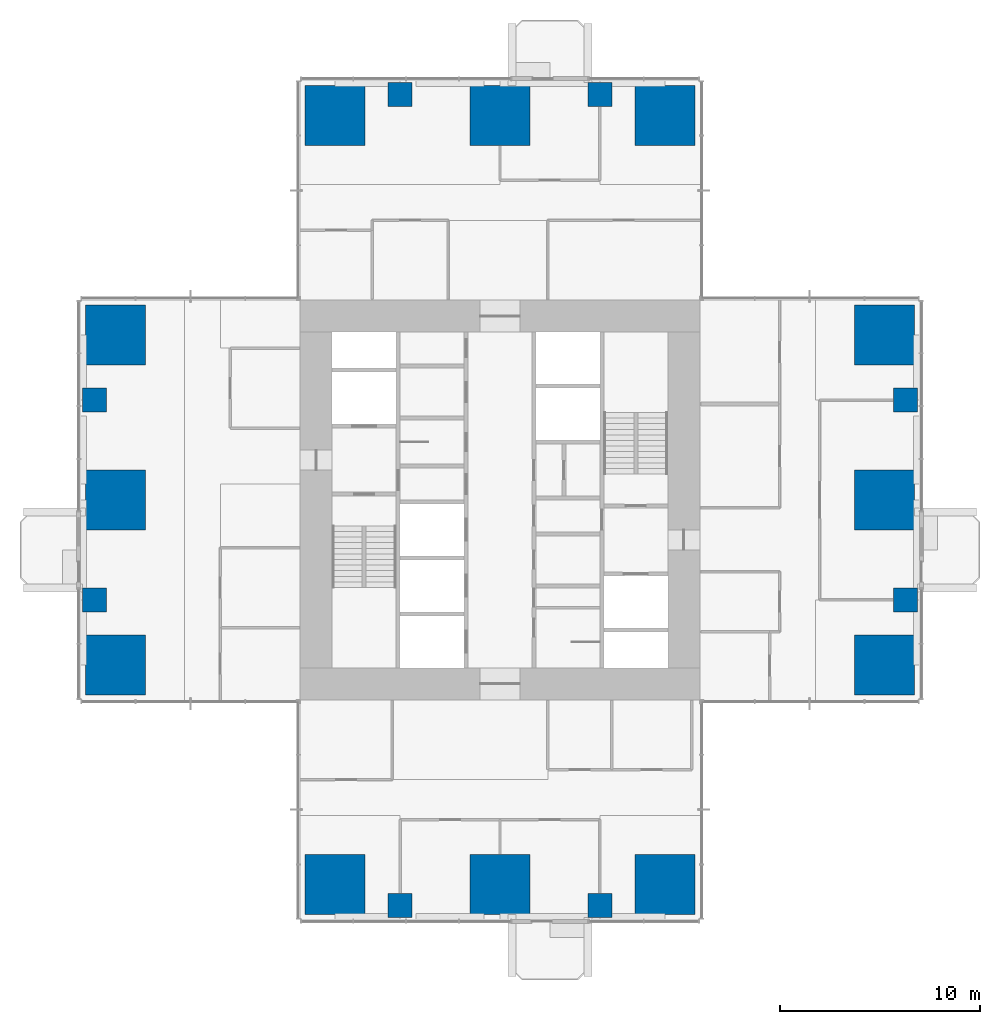
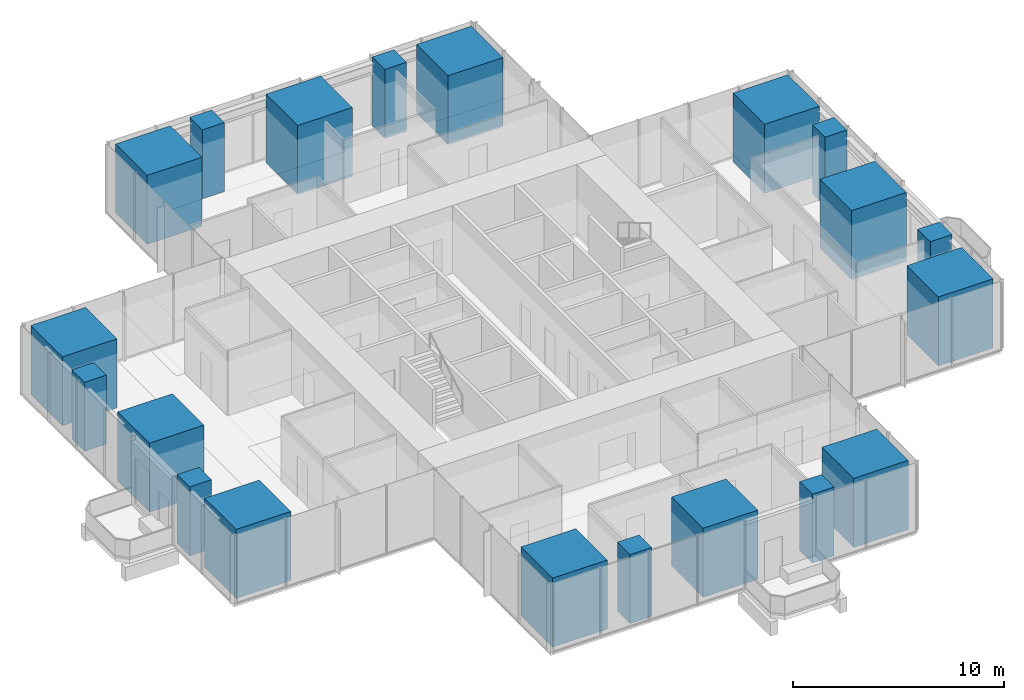
# One storey, part 1 of 13: 20 columns.
"""IFC4 building model written with IfcOpenShell, lengths in metres."""

from ifc_helpers import new_model, si_unit, direction, frame, origin, origin_2d, place, context, subcontext, project, spatial, rectangle, extrude, material, material_profile, profile_set, type_object, element, save


model = new_model("IFC4")

# Units and contexts
model_context = context("Model", 3, precision=1e-05, world=origin(), true_north=direction((0.0, 1.0)))
body_context = subcontext(model_context, "Body", "Model", "MODEL_VIEW")
ifc_project = project(units=[si_unit("LENGTHUNIT", "METRE"), si_unit("AREAUNIT", "SQUARE_METRE"), si_unit("VOLUMEUNIT", "CUBIC_METRE"), si_unit("PLANEANGLEUNIT", "RADIAN"), si_unit("MASSUNIT", "GRAM", prefix="KILO")], contexts=[model_context])

# Site, building, storey
site_placement = place(None, origin())
site = spatial("IfcSite", under=ifc_project, at=site_placement, CompositionType="ELEMENT")
building_placement = place(site_placement, origin())
building = spatial("IfcBuilding", under=site, at=building_placement, Name="Svetlomir Tower", CompositionType="ELEMENT")
storey_placement = place(building_placement, frame((0.0, 0.0, 120.5)))
storey = spatial("IfcBuildingStorey", under=building, at=storey_placement, Name="L28", CompositionType="ELEMENT", Elevation=120.5)

# Columns
ifc_material_1 = material(Name="Concrete C60/75", Category="concrete")
ifc_material_profile_1 = material_profile(ifc_material_1, rectangle(XDim=1.199951171875, YDim=1.199951171875, at=origin_2d()), Name="RC 1200x1200")
ifc_profile_set_1 = profile_set([ifc_material_profile_1], Name="Concrete C60/75")
column_type_1 = type_object("IfcColumnType", Name="COLUMN RC 1200x1200", PredefinedType="COLUMN", material=ifc_profile_set_1)
for number, where, z_axis, x_axis, name in (
    (1, (16.0, 0.699951171875, 0.0), (0.0, 0.0, 1.0), (1.0, 0.0, 0.0), "Column 16/0 L28"),
    (2, (26.0, 0.699951171875, 0.0), (0.0, 0.0, 1.0), (1.0, 0.0, 0.0), "Column 26/0 L28"),
    (3, (0.699951171875, 16.0, 0.0), (0.0, 0.0, 1.0), (1.0, 0.0, 0.0), "Column 0/16 L28"),
    (4, (41.300048828125, 16.0, 0.0), (0.0, 0.0, 1.0), (1.0, 0.0, 0.0), "Column 42/16 L28"),
    (5, (0.699951171875, 26.0, 0.0), (0.0, 0.0, 1.0), (1.0, 0.0, 0.0), "Column 0/26 L28"),
    (6, (41.300048828125, 26.0, 0.0), (0.0, 0.0, 1.0), (1.0, 0.0, 0.0), "Column 42/26 L28"),
    (7, (16.0, 41.300048828125, 0.0), (0.0, 0.0, 1.0), (1.0, 0.0, 0.0), "Column 16/42 L28"),
    (8, (26.0, 41.300048828125, 0.0), (0.0, 0.0, 1.0), (1.0, 0.0, 0.0), "Column 26/42 L28"),
):
    element("IfcColumn", number, at=place(storey_placement, frame(where, z_axis=z_axis, x_axis=x_axis)), inside=storey, type_object=column_type_1, Name=name, PredefinedType="COLUMN", context=body_context, shape_type="SweptSolid", body=[
        extrude(rectangle(XDim=1.199951171875, YDim=1.199951171875, at=origin_2d()), origin(), (0.0, 0.0, 1.0), 4.0),
    ])
ifc_material_2 = material(Name="Concrete C60/75", Category="concrete")
ifc_material_profile_2 = material_profile(ifc_material_2, rectangle(XDim=3.0, YDim=3.0, at=origin_2d()), Name="RC 3000x3000")
ifc_profile_set_2 = profile_set([ifc_material_profile_2], Name="Concrete C60/75")
column_type_2 = type_object("IfcColumnType", Name="COLUMN RC 3000x3000", PredefinedType="COLUMN", material=ifc_profile_set_2)
for number, where, z_axis, x_axis, name in (
    (9, (12.75, 1.75, 0.0), (0.0, 0.0, 1.0), (1.0, 0.0, 0.0), "Column 11/0 L28"),
    (10, (21.0, 1.75, 0.0), (0.0, 0.0, 1.0), (1.0, 0.0, 0.0), "Column 21/0 L28"),
    (11, (29.25, 1.75, 0.0), (0.0, 0.0, 1.0), (1.0, 0.0, 0.0), "Column 31/0 L28"),
    (12, (1.75, 12.75, 0.0), (0.0, 0.0, 1.0), (1.0, 0.0, 0.0), "Column 0/11 L28"),
    (13, (40.25, 12.75, 0.0), (0.0, 0.0, 1.0), (1.0, 0.0, 0.0), "Column 42/11 L28"),
    (14, (1.75, 21.0, 0.0), (0.0, 0.0, 1.0), (1.0, 0.0, 0.0), "Column 0/21 L28"),
    (15, (40.25, 21.0, 0.0), (0.0, 0.0, 1.0), (1.0, 0.0, 0.0), "Column 42/21 L28"),
    (16, (1.75, 29.25, 0.0), (0.0, 0.0, 1.0), (1.0, 0.0, 0.0), "Column 0/31 L28"),
    (17, (40.25, 29.25, 0.0), (0.0, 0.0, 1.0), (1.0, 0.0, 0.0), "Column 42/31 L28"),
    (18, (12.75, 40.25, 0.0), (0.0, 0.0, 1.0), (1.0, 0.0, 0.0), "Column 11/42 L28"),
    (19, (21.0, 40.25, 0.0), (0.0, 0.0, 1.0), (1.0, 0.0, 0.0), "Column 21/42 L28"),
    (20, (29.25, 40.25, 0.0), (0.0, 0.0, 1.0), (1.0, 0.0, 0.0), "Column 31/42 L28"),
):
    element("IfcColumn", number, at=place(storey_placement, frame(where, z_axis=z_axis, x_axis=x_axis)), inside=storey, type_object=column_type_2, Name=name, PredefinedType="COLUMN", context=body_context, shape_type="SweptSolid", body=[
        extrude(rectangle(XDim=3.0, YDim=3.0, at=origin_2d()), origin(), (0.0, 0.0, 1.0), 4.0),
    ])

save(model, "model.ifc")
